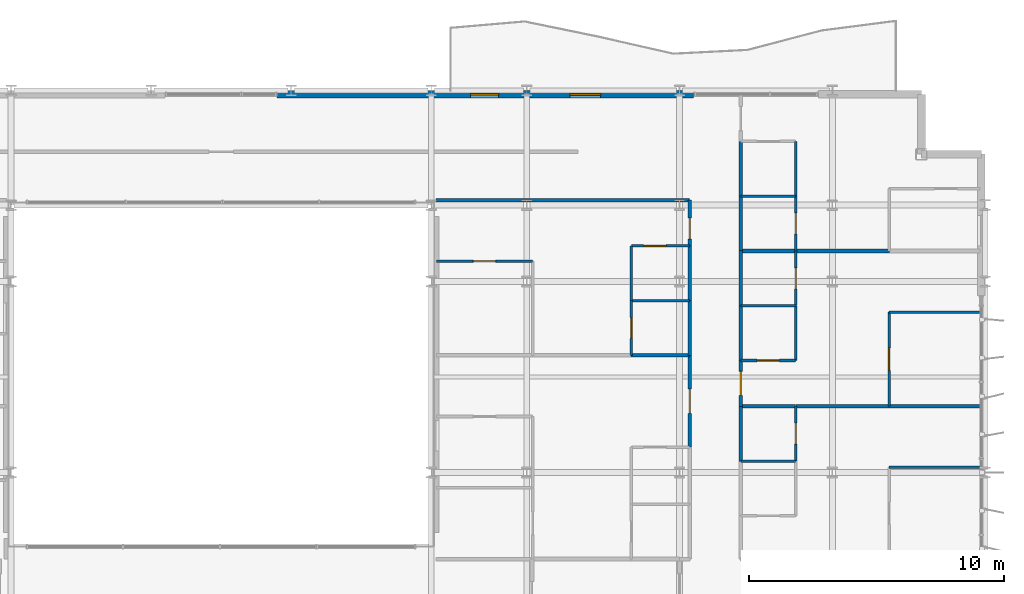
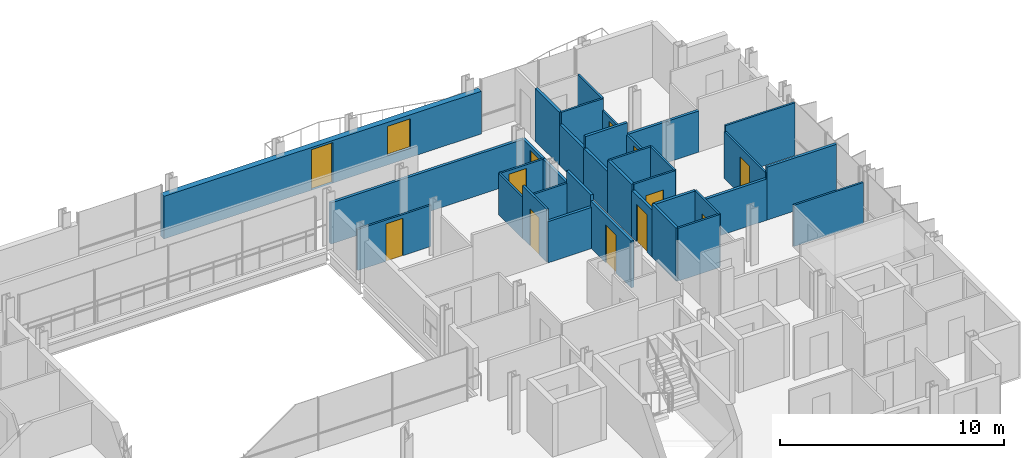
# One storey, part 32 of 38: 35 walls, 12 doors, 1 window, 13 openings.
"""IFC4 building model written with IfcOpenShell, lengths in metres."""

from ifc_helpers import new_model, si_unit, direction, frame, frame_2d, origin, place, context, subcontext, project, spatial, rectangle, extrude, material, layer, layer_set, type_object, element, fill, save


model = new_model("IFC4")

# Units and contexts
model_context = context("Model", 3, precision=1e-05, world=origin(), true_north=direction((0.0, 1.0)))
body_context = subcontext(model_context, "Body", "Model", "MODEL_VIEW")
ifc_project = project(units=[si_unit("LENGTHUNIT", "METRE"), si_unit("AREAUNIT", "SQUARE_METRE"), si_unit("VOLUMEUNIT", "CUBIC_METRE"), si_unit("PLANEANGLEUNIT", "RADIAN"), si_unit("MASSUNIT", "GRAM", prefix="KILO")], contexts=[model_context])

# Site, building, storey
site_placement = place(None, origin())
site = spatial("IfcSite", under=ifc_project, at=site_placement, CompositionType="ELEMENT")
building_placement = place(site_placement, origin())
building = spatial("IfcBuilding", under=site, at=building_placement, Name="Brevholm Reach", CompositionType="ELEMENT")
storey_placement = place(building_placement, frame((0.0, 0.0, 122.10009765625)))
storey = spatial("IfcBuildingStorey", under=building, at=storey_placement, Name="L36", CompositionType="ELEMENT", Elevation=122.10009765625)

# Wall, openings, door, window
ifc_material_1 = material(Name="Concrete C40/50", Category="concrete")
ifc_layer_1 = layer(ifc_material_1, 0.300048828125)
ifc_layer_set_1 = layer_set([ifc_layer_1], Name="Concrete C40/50")
wall_type_1 = type_object("IfcWallType", Name="WAL-EXT-300", PredefinedType="STANDARD", material=ifc_layer_set_1)
wall_1_placement = place(storey_placement, frame((32.199951171875, 30.85009765625, 0.0), z_axis=(0.0, 0.0, 1.0), x_axis=(1.0, 0.0, 0.0)))
wall_1 = element("IfcWall", 1, at=wall_1_placement, inside=storey, type_object=wall_type_1, Name="L36 Facade Wall WAL-L36-NP-ER", PredefinedType="STANDARD", context=body_context, shape_type="SweptSolid", body=[
    extrude(rectangle(XDim=16.35009765625, YDim=0.300048828125, at=frame_2d((8.175048828125, 0.0))), origin(), (0.0, 0.0, 1.0), 2.32177734375),
])
opening_1_placement = place(wall_1_placement, frame((7.60009765625, 0.0, 0.0)))
opening_1 = element("IfcOpeningElement", 2, at=opening_1_placement, cuts=wall_1, Name="Opening BD-01", PredefinedType="OPENING", context=body_context, shape_type="SweptSolid", body=[
    extrude(rectangle(XDim=1.10009765625, YDim=2.199951171875, at=frame_2d((0.550048828125, 1.10009765625))), frame((0.0, 0.159912109375, 0.0), z_axis=(0.0, -1.0, 0.0), x_axis=(1.0, 0.0, 0.0)), (0.0, 0.0, 1.0), 0.320068359375),
])
opening_2_placement = place(wall_1_placement, frame((11.5, 0.0, 0.501953125)))
opening_2 = element("IfcOpeningElement", 3, at=opening_2_placement, cuts=wall_1, Name="Opening WN-08", PredefinedType="OPENING", context=body_context, shape_type="SweptSolid", body=[
    extrude(rectangle(XDim=1.199951171875, YDim=1.60009765625, at=frame_2d((0.60009765625, 0.800048828125))), frame((0.0, 0.159912109375, 0.0), z_axis=(0.0, -1.0, 0.0), x_axis=(1.0, 0.0, 0.0)), (0.0, 0.0, 1.0), 0.320068359375),
])
ifc_material_2 = material(Name="Dark Anodised Aluminium and Triple-Glazed Glass", Category="aluminium")
door_type_1 = type_object("IfcDoorType", Name="DOR-BALC-1100", OperationType="NOTDEFINED", PredefinedType="DOOR", material=ifc_material_2)
door_1_placement = place(opening_1_placement, origin())
door_1 = element("IfcDoor", 4, at=door_1_placement, inside=storey, type_object=door_type_1, Name="L36 Exterior Door DOR-L36-BL-NE", OperationType="SINGLE_SWING_RIGHT", OverallHeight=2.199951171875, OverallWidth=1.10009765625, PredefinedType="DOOR", context=body_context, shape_type="SweptSolid", body=[
    extrude(rectangle(XDim=1.10009765625, YDim=2.199951171875, at=frame_2d((0.550048828125, 1.10009765625))), frame((0.0, 0.02490234375, 0.0), z_axis=(0.0, -1.0, 0.0), x_axis=(1.0, 0.0, 0.0)), (0.0, 0.0, 1.0), 0.050048828125),
])
fill(opening_1, door_1)
ifc_material_3 = material(Name="Dark Anodised Aluminium and Solar-Control IGU Glass", Category="aluminium")
window_type = type_object("IfcWindowType", Name="WIN-RES-1200", PartitioningType="SINGLE_PANEL", PredefinedType="WINDOW", material=ifc_material_3)
window_placement = place(opening_2_placement, origin())
window = element("IfcWindow", 5, at=window_placement, inside=storey, type_object=window_type, Name="L36 Window WIN-L36-NP-ER1", OverallHeight=1.60009765625, OverallWidth=1.199951171875, PartitioningType="SINGLE_PANEL", PredefinedType="WINDOW", context=body_context, shape_type="SweptSolid", body=[
    extrude(rectangle(XDim=1.199951171875, YDim=1.60009765625, at=frame_2d((0.60009765625, 0.800048828125))), frame((0.0, 0.030029296875, 0.0), z_axis=(0.0, -1.0, 0.0), x_axis=(1.0, 0.0, 0.0)), (0.0, 0.0, 1.0), 0.06005859375),
])
fill(opening_2, window)

# Wall
ifc_material_4 = material(Name="Moisture-Resistant Acoustic Gypsum Stud Partition 100 mm", Category="gypsum")
ifc_layer_2 = layer(ifc_material_4, 0.10009765625)
ifc_layer_set_2 = layer_set([ifc_layer_2], Name="Moisture-Resistant Acoustic Gypsum Stud Partition 100 mm")
wall_type_2 = type_object("IfcWallType", Name="WAL-PRT-100", PredefinedType="PARTITIONING", material=ifc_layer_set_2)
wall_2_placement = place(storey_placement, frame((46.112060546875, 22.75, 0.0), z_axis=(0.0, 0.0, 1.0), x_axis=(1.0, 0.0, 0.0)))
element("IfcWall", 6, at=wall_2_placement, inside=storey, type_object=wall_type_2, Name="L36 Internal Partition 131", PredefinedType="PARTITIONING", context=body_context, shape_type="SweptSolid", body=[
    extrude(rectangle(XDim=2.283935546875, YDim=0.10009765625, at=frame_2d((1.14208984375, 0.0))), origin(), (0.0, 0.0, 1.0), 2.24267578125),
])

# Wall, opening, door
wall_3_placement = place(storey_placement, frame((46.112060546875, 20.60400390625, 0.0), z_axis=(0.0, 0.0, 1.0), x_axis=(0.0, 1.0, 0.0)))
wall_3 = element("IfcWall", 7, at=wall_3_placement, inside=storey, type_object=wall_type_2, Name="L36 Internal Partition 132", PredefinedType="PARTITIONING", context=body_context, shape_type="SweptSolid", body=[
    extrude(rectangle(XDim=2.14599609375, YDim=0.10009765625, at=frame_2d((1.072998046875, 0.0))), origin(), (0.0, 0.0, 1.0), 2.8798828125),
])
opening_3_placement = place(wall_3_placement, frame((0.6630859375, 0.0, 0.0)))
opening_3 = element("IfcOpeningElement", 8, at=opening_3_placement, cuts=wall_3, Name="Opening ID-03", PredefinedType="OPENING", context=body_context, shape_type="SweptSolid", body=[
    extrude(rectangle(XDim=0.820068359375, YDim=2.02001953125, at=frame_2d((0.41015625, 1.010009765625))), frame((0.0, 0.06005859375, 0.0), z_axis=(0.0, -1.0, 0.0), x_axis=(1.0, 0.0, 0.0)), (0.0, 0.0, 1.0), 0.1201171875),
])
ifc_material_5 = material(Name="Moisture-Resistant Painted Timber Internal Bathroom Door", Category="wood")
door_type_2 = type_object("IfcDoorType", Name="DOR-BATH-820", OperationType="NOTDEFINED", PredefinedType="DOOR", material=ifc_material_5)
door_2_placement = place(opening_3_placement, origin())
door_2 = element("IfcDoor", 9, at=door_2_placement, inside=storey, type_object=door_type_2, Name="L36 Internal Door 050", OperationType="SINGLE_SWING_RIGHT", OverallHeight=2.02001953125, OverallWidth=0.820068359375, PredefinedType="DOOR", context=body_context, shape_type="SweptSolid", body=[
    extrude(rectangle(XDim=0.820068359375, YDim=2.02001953125, at=frame_2d((0.41015625, 1.010009765625))), frame((0.0, 0.02490234375, 0.0), z_axis=(0.0, -1.0, 0.0), x_axis=(1.0, 0.0, 0.0)), (0.0, 0.0, 1.0), 0.050048828125),
])
fill(opening_3, door_2)

wall_4_placement = place(storey_placement, frame((46.112060546875, 24.89990234375, 0.0), z_axis=(0.0, 0.0, 1.0), x_axis=(1.0, 0.0, 0.0)))
wall_4 = element("IfcWall", 10, at=wall_4_placement, inside=storey, type_object=wall_type_2, Name="L36 Internal Partition 133", PredefinedType="PARTITIONING", context=body_context, shape_type="SweptSolid", body=[
    extrude(rectangle(XDim=2.283935546875, YDim=0.10009765625, at=frame_2d((1.14208984375, 0.0))), origin(), (0.0, 0.0, 1.0), 2.24267578125),
])
opening_4_placement = place(wall_4_placement, frame((0.48193359375, 0.0, 0.0)))
opening_4 = element("IfcOpeningElement", 11, at=opening_4_placement, cuts=wall_4, Name="Opening ID-01", PredefinedType="OPENING", context=body_context, shape_type="SweptSolid", body=[
    extrude(rectangle(XDim=0.8798828125, YDim=2.0400390625, at=frame_2d((0.43994140625, 1.02001953125))), frame((0.0, 0.06005859375, 0.0), z_axis=(0.0, -1.0, 0.0), x_axis=(1.0, 0.0, 0.0)), (0.0, 0.0, 1.0), 0.1201171875),
])
ifc_material_6 = material(Name="Lacquered Ash Solid-Core Acoustic Internal Door", Category="timber")
door_type_3 = type_object("IfcDoorType", Name="DOR-INT-880", OperationType="NOTDEFINED", PredefinedType="DOOR", material=ifc_material_6)
door_3_placement = place(opening_4_placement, origin())
door_3 = element("IfcDoor", 12, at=door_3_placement, inside=storey, type_object=door_type_3, Name="L36 Internal Door 051", OperationType="SINGLE_SWING_LEFT", OverallHeight=2.0400390625, OverallWidth=0.8798828125, PredefinedType="DOOR", context=body_context, shape_type="SweptSolid", body=[
    extrude(rectangle(XDim=0.8798828125, YDim=2.0400390625, at=frame_2d((0.43994140625, 1.02001953125))), frame((0.0, 0.02490234375, 0.0), z_axis=(0.0, -1.0, 0.0), x_axis=(1.0, 0.0, 0.0)), (0.0, 0.0, 1.0), 0.050048828125),
])
fill(opening_4, door_3)

# Wall
wall_5_placement = place(storey_placement, frame((46.112060546875, 22.75390625, 0.0), z_axis=(0.0, 0.0, 1.0), x_axis=(0.0, 1.0, 0.0)))
element("IfcWall", 13, at=wall_5_placement, inside=storey, type_object=wall_type_2, Name="L36 Internal Partition 134", PredefinedType="PARTITIONING", context=body_context, shape_type="SweptSolid", body=[
    extrude(rectangle(XDim=2.14599609375, YDim=0.10009765625, at=frame_2d((1.072998046875, 0.0))), origin(), (0.0, 0.0, 1.0), 2.24267578125),
])

# Wall, opening, door
wall_6_placement = place(storey_placement, frame((38.449951171875, 24.300048828125, 0.0), z_axis=(0.0, 0.0, 1.0), x_axis=(1.0, 0.0, 0.0)))
wall_6 = element("IfcWall", 14, at=wall_6_placement, inside=storey, type_object=wall_type_2, Name="L36 Internal Partition 136", PredefinedType="PARTITIONING", context=body_context, shape_type="SweptSolid", body=[
    extrude(rectangle(XDim=3.781005859375, YDim=0.10009765625, at=frame_2d((1.890625, 0.0))), origin(), (0.0, 0.0, 1.0), 2.24267578125),
])
opening_5_placement = place(wall_6_placement, frame((1.450439453125, 0.0, 0.0)))
opening_5 = element("IfcOpeningElement", 15, at=opening_5_placement, cuts=wall_6, Name="Opening ID-01", PredefinedType="OPENING", context=body_context, shape_type="SweptSolid", body=[
    extrude(rectangle(XDim=0.8798828125, YDim=2.0400390625, at=frame_2d((0.43994140625, 1.02001953125))), frame((0.0, 0.06005859375, 0.0), z_axis=(0.0, -1.0, 0.0), x_axis=(1.0, 0.0, 0.0)), (0.0, 0.0, 1.0), 0.1201171875),
])
door_4_placement = place(opening_5_placement, origin())
door_4 = element("IfcDoor", 16, at=door_4_placement, inside=storey, type_object=door_type_3, Name="L36 Internal Door 052", OperationType="SINGLE_SWING_RIGHT", OverallHeight=2.0400390625, OverallWidth=0.8798828125, PredefinedType="DOOR", context=body_context, shape_type="SweptSolid", body=[
    extrude(rectangle(XDim=0.8798828125, YDim=2.0400390625, at=frame_2d((0.43994140625, 1.02001953125))), frame((0.0, 0.02490234375, 0.0), z_axis=(0.0, -1.0, 0.0), x_axis=(1.0, 0.0, 0.0)), (0.0, 0.0, 1.0), 0.050048828125),
])
fill(opening_5, door_4)

# Wall
wall_7_placement = place(storey_placement, frame((50.404052734375, 16.449951171875, 0.0), z_axis=(0.0, 0.0, 1.0), x_axis=(1.0, 0.0, 0.0)))
element("IfcWall", 17, at=wall_7_placement, inside=storey, type_object=wall_type_2, Name="L36 Internal Partition 137", PredefinedType="PARTITIONING", context=body_context, shape_type="SweptSolid", body=[
    extrude(rectangle(XDim=2.157958984375, YDim=0.10009765625, at=frame_2d((1.0791015625, 0.0))), origin(), (0.0, 0.0, 1.0), 2.8798828125),
])

# Wall, opening, door
wall_8_placement = place(storey_placement, frame((52.56201171875, 16.449951171875, 0.0), z_axis=(0.0, 0.0, 1.0), x_axis=(0.0, 1.0, 0.0)))
wall_8 = element("IfcWall", 18, at=wall_8_placement, inside=storey, type_object=wall_type_2, Name="L36 Internal Partition 138", PredefinedType="PARTITIONING", context=body_context, shape_type="SweptSolid", body=[
    extrude(rectangle(XDim=2.150146484375, YDim=0.10009765625, at=frame_2d((1.0751953125, 0.0))), origin(), (0.0, 0.0, 1.0), 2.8798828125),
])
opening_6_placement = place(wall_8_placement, frame((0.6650390625, 0.0, 0.0)))
opening_6 = element("IfcOpeningElement", 19, at=opening_6_placement, cuts=wall_8, Name="Opening ID-03", PredefinedType="OPENING", context=body_context, shape_type="SweptSolid", body=[
    extrude(rectangle(XDim=0.820068359375, YDim=2.02001953125, at=frame_2d((0.41015625, 1.010009765625))), frame((0.0, 0.06005859375, 0.0), z_axis=(0.0, -1.0, 0.0), x_axis=(1.0, 0.0, 0.0)), (0.0, 0.0, 1.0), 0.1201171875),
])
door_5_placement = place(opening_6_placement, origin())
door_5 = element("IfcDoor", 20, at=door_5_placement, inside=storey, type_object=door_type_2, Name="L36 Internal Door 053", OperationType="SINGLE_SWING_LEFT", OverallHeight=2.02001953125, OverallWidth=0.820068359375, PredefinedType="DOOR", context=body_context, shape_type="SweptSolid", body=[
    extrude(rectangle(XDim=0.820068359375, YDim=2.02001953125, at=frame_2d((0.41015625, 1.010009765625))), frame((0.0, 0.02490234375, 0.0), z_axis=(0.0, -1.0, 0.0), x_axis=(1.0, 0.0, 0.0)), (0.0, 0.0, 1.0), 0.050048828125),
])
fill(opening_6, door_5)

# Walls
wall_9_placement = place(storey_placement, frame((56.22802734375, 16.199951171875, 0.0), z_axis=(0.0, 0.0, 1.0), x_axis=(1.0, 0.0, 0.0)))
element("IfcWall", 21, at=wall_9_placement, inside=storey, type_object=wall_type_2, Name="L36 Internal Partition 142", PredefinedType="PARTITIONING", context=body_context, shape_type="SweptSolid", body=[
    extrude(rectangle(XDim=3.572021484375, YDim=0.10009765625, at=frame_2d((1.7861328125, 0.0))), origin(), (0.0, 0.0, 1.0), 2.24267578125),
])
wall_10_placement = place(storey_placement, frame((50.404052734375, 22.550048828125, 0.0), z_axis=(0.0, 0.0, 1.0), x_axis=(1.0, 0.0, 0.0)))
element("IfcWall", 22, at=wall_10_placement, inside=storey, type_object=wall_type_2, Name="L36 Internal Partition 146", PredefinedType="PARTITIONING", context=body_context, shape_type="SweptSolid", body=[
    extrude(rectangle(XDim=2.157958984375, YDim=0.10009765625, at=frame_2d((1.0791015625, 0.0))), origin(), (0.0, 0.0, 1.0), 2.8798828125),
])

# Wall, opening, door
wall_11_placement = place(storey_placement, frame((52.56201171875, 22.550048828125, 0.0), z_axis=(0.0, 0.0, 1.0), x_axis=(0.0, 1.0, 0.0)))
wall_11 = element("IfcWall", 23, at=wall_11_placement, inside=storey, type_object=wall_type_2, Name="L36 Internal Partition 147", PredefinedType="PARTITIONING", context=body_context, shape_type="SweptSolid", body=[
    extrude(rectangle(XDim=2.14990234375, YDim=0.10009765625, at=frame_2d((1.074951171875, 0.0))), origin(), (0.0, 0.0, 1.0), 2.24267578125),
])
opening_7_placement = place(wall_11_placement, frame((0.6650390625, 0.0, 0.0)))
opening_7 = element("IfcOpeningElement", 24, at=opening_7_placement, cuts=wall_11, Name="Opening ID-03", PredefinedType="OPENING", context=body_context, shape_type="SweptSolid", body=[
    extrude(rectangle(XDim=0.820068359375, YDim=2.02001953125, at=frame_2d((0.41015625, 1.010009765625))), frame((0.0, 0.06005859375, 0.0), z_axis=(0.0, -1.0, 0.0), x_axis=(1.0, 0.0, 0.0)), (0.0, 0.0, 1.0), 0.1201171875),
])
door_6_placement = place(opening_7_placement, origin())
door_6 = element("IfcDoor", 25, at=door_6_placement, inside=storey, type_object=door_type_2, Name="L36 Internal Door 056", OperationType="SINGLE_SWING_RIGHT", OverallHeight=2.02001953125, OverallWidth=0.820068359375, PredefinedType="DOOR", context=body_context, shape_type="SweptSolid", body=[
    extrude(rectangle(XDim=0.820068359375, YDim=2.02001953125, at=frame_2d((0.41015625, 1.010009765625))), frame((0.0, 0.02490234375, 0.0), z_axis=(0.0, -1.0, 0.0), x_axis=(1.0, 0.0, 0.0)), (0.0, 0.0, 1.0), 0.050048828125),
])
fill(opening_7, door_6)

wall_12_placement = place(storey_placement, frame((50.404052734375, 20.39990234375, 0.0), z_axis=(0.0, 0.0, 1.0), x_axis=(1.0, 0.0, 0.0)))
wall_12 = element("IfcWall", 26, at=wall_12_placement, inside=storey, type_object=wall_type_2, Name="L36 Internal Partition 149", PredefinedType="PARTITIONING", context=body_context, shape_type="SweptSolid", body=[
    extrude(rectangle(XDim=2.157958984375, YDim=0.10009765625, at=frame_2d((1.0791015625, 0.0))), origin(), (0.0, 0.0, 1.0), 2.8798828125),
])
opening_8_placement = place(wall_12_placement, frame((0.638916015625, 0.0, 0.0)))
opening_8 = element("IfcOpeningElement", 27, at=opening_8_placement, cuts=wall_12, Name="Opening ID-01", PredefinedType="OPENING", context=body_context, shape_type="SweptSolid", body=[
    extrude(rectangle(XDim=0.8798828125, YDim=2.0400390625, at=frame_2d((0.43994140625, 1.02001953125))), frame((0.0, 0.06005859375, 0.0), z_axis=(0.0, -1.0, 0.0), x_axis=(1.0, 0.0, 0.0)), (0.0, 0.0, 1.0), 0.1201171875),
])
door_7_placement = place(opening_8_placement, origin())
door_7 = element("IfcDoor", 28, at=door_7_placement, inside=storey, type_object=door_type_3, Name="L36 Internal Door 057", OperationType="SINGLE_SWING_LEFT", OverallHeight=2.0400390625, OverallWidth=0.8798828125, PredefinedType="DOOR", context=body_context, shape_type="SweptSolid", body=[
    extrude(rectangle(XDim=0.8798828125, YDim=2.0400390625, at=frame_2d((0.43994140625, 1.02001953125))), frame((0.0, 0.02490234375, 0.0), z_axis=(0.0, -1.0, 0.0), x_axis=(1.0, 0.0, 0.0)), (0.0, 0.0, 1.0), 0.050048828125),
])
fill(opening_8, door_7)

# Walls
wall_13_placement = place(storey_placement, frame((52.56201171875, 20.39990234375, 0.0), z_axis=(0.0, 0.0, 1.0), x_axis=(0.0, 1.0, 0.0)))
element("IfcWall", 29, at=wall_13_placement, inside=storey, type_object=wall_type_2, Name="L36 Internal Partition 150", PredefinedType="PARTITIONING", context=body_context, shape_type="SweptSolid", body=[
    extrude(rectangle(XDim=2.14599609375, YDim=0.10009765625, at=frame_2d((1.072998046875, 0.0))), origin(), (0.0, 0.0, 1.0), 2.8798828125),
])
wall_14_placement = place(storey_placement, frame((56.22802734375, 22.300048828125, 0.0), z_axis=(0.0, 0.0, 1.0), x_axis=(1.0, 0.0, 0.0)))
element("IfcWall", 30, at=wall_14_placement, inside=storey, type_object=wall_type_2, Name="L36 Internal Partition 151", PredefinedType="PARTITIONING", context=body_context, shape_type="SweptSolid", body=[
    extrude(rectangle(XDim=3.572021484375, YDim=0.10009765625, at=frame_2d((1.7861328125, 0.0))), origin(), (0.0, 0.0, 1.0), 2.8798828125),
])

# Wall, opening, door
wall_15_placement = place(storey_placement, frame((56.22802734375, 18.60400390625, 0.0), z_axis=(0.0, 0.0, 1.0), x_axis=(0.0, 1.0, 0.0)))
wall_15 = element("IfcWall", 31, at=wall_15_placement, inside=storey, type_object=wall_type_2, Name="L36 Internal Partition 152", PredefinedType="PARTITIONING", context=body_context, shape_type="SweptSolid", body=[
    extrude(rectangle(XDim=3.696044921875, YDim=0.10009765625, at=frame_2d((1.84814453125, 0.0))), origin(), (0.0, 0.0, 1.0), 2.551513671875),
])
opening_9_placement = place(wall_15_placement, frame((1.407958984375, 0.0, 0.0)))
opening_9 = element("IfcOpeningElement", 32, at=opening_9_placement, cuts=wall_15, Name="Opening ID-01", PredefinedType="OPENING", context=body_context, shape_type="SweptSolid", body=[
    extrude(rectangle(XDim=0.8798828125, YDim=2.0400390625, at=frame_2d((0.43994140625, 1.02001953125))), frame((0.0, 0.06005859375, 0.0), z_axis=(0.0, -1.0, 0.0), x_axis=(1.0, 0.0, 0.0)), (0.0, 0.0, 1.0), 0.1201171875),
])
door_8_placement = place(opening_9_placement, origin())
door_8 = element("IfcDoor", 33, at=door_8_placement, inside=storey, type_object=door_type_3, Name="L36 Internal Door 058", OperationType="SINGLE_SWING_RIGHT", OverallHeight=2.0400390625, OverallWidth=0.8798828125, PredefinedType="DOOR", context=body_context, shape_type="SweptSolid", body=[
    extrude(rectangle(XDim=0.8798828125, YDim=2.0400390625, at=frame_2d((0.43994140625, 1.02001953125))), frame((0.0, 0.02490234375, 0.0), z_axis=(0.0, -1.0, 0.0), x_axis=(1.0, 0.0, 0.0)), (0.0, 0.0, 1.0), 0.050048828125),
])
fill(opening_9, door_8)

# Wall
wall_16_placement = place(storey_placement, frame((50.404052734375, 26.85009765625, 0.0), z_axis=(0.0, 0.0, 1.0), x_axis=(1.0, 0.0, 0.0)))
element("IfcWall", 34, at=wall_16_placement, inside=storey, type_object=wall_type_2, Name="L36 Internal Partition 155", PredefinedType="PARTITIONING", context=body_context, shape_type="SweptSolid", body=[
    extrude(rectangle(XDim=2.157958984375, YDim=0.10009765625, at=frame_2d((1.0791015625, 0.0))), origin(), (0.0, 0.0, 1.0), 2.8798828125),
])

# Wall, opening, door
wall_17_placement = place(storey_placement, frame((52.56201171875, 24.7041015625, 0.0), z_axis=(0.0, 0.0, 1.0), x_axis=(0.0, 1.0, 0.0)))
wall_17 = element("IfcWall", 35, at=wall_17_placement, inside=storey, type_object=wall_type_2, Name="L36 Internal Partition 156", PredefinedType="PARTITIONING", context=body_context, shape_type="SweptSolid", body=[
    extrude(rectangle(XDim=2.14599609375, YDim=0.10009765625, at=frame_2d((1.072998046875, 0.0))), origin(), (0.0, 0.0, 1.0), 2.24267578125),
])
opening_10_placement = place(wall_17_placement, frame((0.6630859375, 0.0, 0.0)))
opening_10 = element("IfcOpeningElement", 36, at=opening_10_placement, cuts=wall_17, Name="Opening ID-03", PredefinedType="OPENING", context=body_context, shape_type="SweptSolid", body=[
    extrude(rectangle(XDim=0.820068359375, YDim=2.02001953125, at=frame_2d((0.41015625, 1.010009765625))), frame((0.0, 0.06005859375, 0.0), z_axis=(0.0, -1.0, 0.0), x_axis=(1.0, 0.0, 0.0)), (0.0, 0.0, 1.0), 0.1201171875),
])
door_9_placement = place(opening_10_placement, origin())
door_9 = element("IfcDoor", 37, at=door_9_placement, inside=storey, type_object=door_type_2, Name="L36 Internal Door 059", OperationType="SINGLE_SWING_LEFT", OverallHeight=2.02001953125, OverallWidth=0.820068359375, PredefinedType="DOOR", context=body_context, shape_type="SweptSolid", body=[
    extrude(rectangle(XDim=0.820068359375, YDim=2.02001953125, at=frame_2d((0.41015625, 1.010009765625))), frame((0.0, 0.02490234375, 0.0), z_axis=(0.0, -1.0, 0.0), x_axis=(1.0, 0.0, 0.0)), (0.0, 0.0, 1.0), 0.050048828125),
])
fill(opening_10, door_9)

# Wall
wall_18_placement = place(storey_placement, frame((52.56201171875, 26.85400390625, 0.0), z_axis=(0.0, 0.0, 1.0), x_axis=(0.0, 1.0, 0.0)))
element("IfcWall", 38, at=wall_18_placement, inside=storey, type_object=wall_type_2, Name="L36 Internal Partition 157", PredefinedType="PARTITIONING", context=body_context, shape_type="SweptSolid", body=[
    extrude(rectangle(XDim=2.14599609375, YDim=0.10009765625, at=frame_2d((1.072998046875, 0.0))), origin(), (0.0, 0.0, 1.0), 2.8798828125),
])

# Wall, opening, door
ifc_material_7 = material(Name="Twin-Stud Acoustic Fire-Rated Gypsum Partition 140 mm", Category="gypsum")
ifc_layer_3 = layer(ifc_material_7, 0.139892578125)
ifc_layer_set_3 = layer_set([ifc_layer_3], Name="Twin-Stud Acoustic Fire-Rated Gypsum Partition 140 mm")
wall_type_3 = type_object("IfcWallType", Name="WAL-PRT-140", PredefinedType="PARTITIONING", material=ifc_layer_set_3)
wall_19_placement = place(storey_placement, frame((48.39990234375, 16.99267578125, 0.0), z_axis=(0.0, 0.0, 1.0), x_axis=(0.0, 1.0, 0.0)))
wall_19 = element("IfcWall", 39, at=wall_19_placement, inside=storey, type_object=wall_type_3, Name="L36 Internal Partition 048", PredefinedType="PARTITIONING", context=body_context, shape_type="SweptSolid", body=[
    extrude(rectangle(XDim=3.61865234375, YDim=0.139892578125, at=frame_2d((1.809326171875, 0.0))), origin(), (0.0, 0.0, 1.0), 2.551513671875),
])
opening_11_placement = place(wall_19_placement, frame((1.334228515625, 0.0, 0.0)))
opening_11 = element("IfcOpeningElement", 40, at=opening_11_placement, cuts=wall_19, Name="Opening ID-30", PredefinedType="OPENING", context=body_context, shape_type="SweptSolid", body=[
    extrude(rectangle(XDim=0.949951171875, YDim=2.050048828125, at=frame_2d((0.47509765625, 1.02490234375))), frame((0.0, 0.079833984375, 0.0), z_axis=(0.0, -1.0, 0.0), x_axis=(1.0, 0.0, 0.0)), (0.0, 0.0, 1.0), 0.159912109375),
])
ifc_material_8 = material(Name="European Oak Veneered Solid-Core Fire Entrance Door", Category="timber")
door_type_4 = type_object("IfcDoorType", Name="DOR-FLT-FD30S", OperationType="NOTDEFINED", PredefinedType="DOOR", material=ifc_material_8)
door_10_placement = place(opening_11_placement, origin())
door_10 = element("IfcDoor", 41, at=door_10_placement, inside=storey, type_object=door_type_4, Name="L36 Internal Door 021", OperationType="SINGLE_SWING_LEFT", OverallHeight=2.050048828125, OverallWidth=0.949951171875, PredefinedType="DOOR", context=body_context, shape_type="SweptSolid", body=[
    extrude(rectangle(XDim=0.949951171875, YDim=2.050048828125, at=frame_2d((0.47509765625, 1.02490234375))), frame((0.0, 0.02490234375, 0.0), z_axis=(0.0, -1.0, 0.0), x_axis=(1.0, 0.0, 0.0)), (0.0, 0.0, 1.0), 0.050048828125),
])
fill(opening_11, door_10)

# Walls
wall_20_placement = place(storey_placement, frame((48.39990234375, 20.5927734375, 0.0), z_axis=(0.0, 0.0, 1.0), x_axis=(0.0, 1.0, 0.0)))
element("IfcWall", 42, at=wall_20_placement, inside=storey, type_object=wall_type_3, Name="L36 Internal Partition 049", PredefinedType="PARTITIONING", context=body_context, shape_type="SweptSolid", body=[
    extrude(rectangle(XDim=2.16845703125, YDim=0.139892578125, at=frame_2d((1.084228515625, 0.0))), origin(), (0.0, 0.0, 1.0), 2.8798828125),
])
wall_21_placement = place(storey_placement, frame((48.39990234375, 22.74267578125, 0.0), z_axis=(0.0, 0.0, 1.0), x_axis=(0.0, 1.0, 0.0)))
element("IfcWall", 43, at=wall_21_placement, inside=storey, type_object=wall_type_3, Name="L36 Internal Partition 050", PredefinedType="PARTITIONING", context=body_context, shape_type="SweptSolid", body=[
    extrude(rectangle(XDim=2.168701171875, YDim=0.139892578125, at=frame_2d((1.08447265625, 0.0))), origin(), (0.0, 0.0, 1.0), 2.24267578125),
])

# Wall, opening, door
wall_22_placement = place(storey_placement, frame((48.39990234375, 24.892578125, 0.0), z_axis=(0.0, 0.0, 1.0), x_axis=(0.0, 1.0, 0.0)))
wall_22 = element("IfcWall", 44, at=wall_22_placement, inside=storey, type_object=wall_type_3, Name="L36 Internal Partition 051", PredefinedType="PARTITIONING", context=body_context, shape_type="SweptSolid", body=[
    extrude(rectangle(XDim=1.814697265625, YDim=0.139892578125, at=frame_2d((0.9072265625, 0.0))), origin(), (0.0, 0.0, 1.0), 2.24267578125),
])
opening_12_placement = place(wall_22_placement, frame((0.27734375, 0.0, 0.0)))
opening_12 = element("IfcOpeningElement", 45, at=opening_12_placement, cuts=wall_22, Name="Opening ID-02", PredefinedType="OPENING", context=body_context, shape_type="SweptSolid", body=[
    extrude(rectangle(XDim=0.820068359375, YDim=2.02001953125, at=frame_2d((0.41015625, 1.010009765625))), frame((0.0, 0.079833984375, 0.0), z_axis=(0.0, -1.0, 0.0), x_axis=(1.0, 0.0, 0.0)), (0.0, 0.0, 1.0), 0.159912109375),
])
ifc_material_9 = material(Name="Moisture-Resistant Painted Timber Fire-Rated Riser and Service Door", Category="wood")
door_type_5 = type_object("IfcDoorType", Name="DOR-SRV-820", OperationType="NOTDEFINED", PredefinedType="DOOR", material=ifc_material_9)
door_11_placement = place(opening_12_placement, origin())
door_11 = element("IfcDoor", 46, at=door_11_placement, inside=storey, type_object=door_type_5, Name="L36 Internal Door 022", OperationType="SINGLE_SWING_RIGHT", OverallHeight=2.02001953125, OverallWidth=0.820068359375, PredefinedType="DOOR", context=body_context, shape_type="SweptSolid", body=[
    extrude(rectangle(XDim=0.820068359375, YDim=2.02001953125, at=frame_2d((0.41015625, 1.010009765625))), frame((0.0, 0.02490234375, 0.0), z_axis=(0.0, -1.0, 0.0), x_axis=(1.0, 0.0, 0.0)), (0.0, 0.0, 1.0), 0.050048828125),
])
fill(opening_12, door_11)

# Walls
wall_23_placement = place(storey_placement, frame((50.39990234375, 16.438720703125, 0.0), z_axis=(0.0, 0.0, 1.0), x_axis=(0.0, 1.0, 0.0)))
element("IfcWall", 47, at=wall_23_placement, inside=storey, type_object=wall_type_3, Name="L36 Internal Partition 052", PredefinedType="PARTITIONING", context=body_context, shape_type="SweptSolid", body=[
    extrude(rectangle(XDim=2.172607421875, YDim=0.139892578125, at=frame_2d((1.08642578125, 0.0))), origin(), (0.0, 0.0, 1.0), 2.8798828125),
])
wall_24_placement = place(storey_placement, frame((50.39990234375, 22.538818359375, 0.0), z_axis=(0.0, 0.0, 1.0), x_axis=(0.0, 1.0, 0.0)))
element("IfcWall", 48, at=wall_24_placement, inside=storey, type_object=wall_type_3, Name="L36 Internal Partition 055", PredefinedType="PARTITIONING", context=body_context, shape_type="SweptSolid", body=[
    extrude(rectangle(XDim=2.17236328125, YDim=0.139892578125, at=frame_2d((1.086181640625, 0.0))), origin(), (0.0, 0.0, 1.0), 2.24267578125),
])
wall_25_placement = place(storey_placement, frame((50.39990234375, 20.388671875, 0.0), z_axis=(0.0, 0.0, 1.0), x_axis=(0.0, 1.0, 0.0)))
element("IfcWall", 49, at=wall_25_placement, inside=storey, type_object=wall_type_3, Name="L36 Internal Partition 056", PredefinedType="PARTITIONING", context=body_context, shape_type="SweptSolid", body=[
    extrude(rectangle(XDim=2.168701171875, YDim=0.139892578125, at=frame_2d((1.08447265625, 0.0))), origin(), (0.0, 0.0, 1.0), 2.8798828125),
])

# Wall, opening, door
wall_26_placement = place(storey_placement, frame((50.39990234375, 18.5927734375, 0.0), z_axis=(0.0, 0.0, 1.0), x_axis=(0.0, 1.0, 0.0)))
wall_26 = element("IfcWall", 50, at=wall_26_placement, inside=storey, type_object=wall_type_3, Name="L36 Internal Partition 057", PredefinedType="PARTITIONING", context=body_context, shape_type="SweptSolid", body=[
    extrude(rectangle(XDim=1.814453125, YDim=0.139892578125, at=frame_2d((0.9072265625, 0.0))), origin(), (0.0, 0.0, 1.0), 2.551513671875),
])
opening_13_placement = place(wall_26_placement, frame((0.432373046875, 0.0, 0.0)))
opening_13 = element("IfcOpeningElement", 51, at=opening_13_placement, cuts=wall_26, Name="Opening ID-30", PredefinedType="OPENING", context=body_context, shape_type="SweptSolid", body=[
    extrude(rectangle(XDim=0.949951171875, YDim=2.050048828125, at=frame_2d((0.47509765625, 1.02490234375))), frame((0.0, 0.079833984375, 0.0), z_axis=(0.0, -1.0, 0.0), x_axis=(1.0, 0.0, 0.0)), (0.0, 0.0, 1.0), 0.159912109375),
])
door_12_placement = place(opening_13_placement, origin())
door_12 = element("IfcDoor", 52, at=door_12_placement, inside=storey, type_object=door_type_4, Name="L36 Internal Door 023", OperationType="SINGLE_SWING_LEFT", OverallHeight=2.050048828125, OverallWidth=0.949951171875, PredefinedType="DOOR", context=body_context, shape_type="SweptSolid", body=[
    extrude(rectangle(XDim=0.949951171875, YDim=2.050048828125, at=frame_2d((0.47509765625, 1.02490234375))), frame((0.0, 0.02490234375, 0.0), z_axis=(0.0, -1.0, 0.0), x_axis=(1.0, 0.0, 0.0)), (0.0, 0.0, 1.0), 0.050048828125),
])
fill(opening_13, door_12)

# Walls
wall_27_placement = place(storey_placement, frame((50.39990234375, 24.692626953125, 0.0), z_axis=(0.0, 0.0, 1.0), x_axis=(0.0, 1.0, 0.0)))
element("IfcWall", 53, at=wall_27_placement, inside=storey, type_object=wall_type_3, Name="L36 Internal Partition 058", PredefinedType="PARTITIONING", context=body_context, shape_type="SweptSolid", body=[
    extrude(rectangle(XDim=2.168701171875, YDim=0.139892578125, at=frame_2d((1.08447265625, 0.0))), origin(), (0.0, 0.0, 1.0), 2.24267578125),
])
wall_28_placement = place(storey_placement, frame((50.39990234375, 26.8427734375, 0.0), z_axis=(0.0, 0.0, 1.0), x_axis=(0.0, 1.0, 0.0)))
element("IfcWall", 54, at=wall_28_placement, inside=storey, type_object=wall_type_3, Name="L36 Internal Partition 059", PredefinedType="PARTITIONING", context=body_context, shape_type="SweptSolid", body=[
    extrude(rectangle(XDim=2.16845703125, YDim=0.139892578125, at=frame_2d((1.084228515625, 0.0))), origin(), (0.0, 0.0, 1.0), 2.8798828125),
])
wall_29_placement = place(storey_placement, frame((38.438720703125, 26.699951171875, 0.0), z_axis=(0.0, 0.0, 1.0), x_axis=(1.0, 0.0, 0.0)))
element("IfcWall", 55, at=wall_29_placement, inside=storey, type_object=wall_type_3, Name="L36 Internal Partition 063", PredefinedType="PARTITIONING", context=body_context, shape_type="SweptSolid", body=[
    extrude(rectangle(XDim=9.957275390625, YDim=0.139892578125, at=frame_2d((4.978515625, 0.0))), origin(), (0.0, 0.0, 1.0), 2.24267578125),
])
wall_30_placement = place(storey_placement, frame((46.1005859375, 20.60009765625, 0.0), z_axis=(0.0, 0.0, 1.0), x_axis=(1.0, 0.0, 0.0)))
element("IfcWall", 56, at=wall_30_placement, inside=storey, type_object=wall_type_3, Name="L36 Internal Partition 128", PredefinedType="PARTITIONING", context=body_context, shape_type="SweptSolid", body=[
    extrude(rectangle(XDim=2.29541015625, YDim=0.139892578125, at=frame_2d((1.147705078125, 0.0))), origin(), (0.0, 0.0, 1.0), 2.24267578125),
])
wall_31_placement = place(storey_placement, frame((50.404052734375, 18.60009765625, 0.0), z_axis=(0.0, 0.0, 1.0), x_axis=(1.0, 0.0, 0.0)))
element("IfcWall", 57, at=wall_31_placement, inside=storey, type_object=wall_type_3, Name="L36 Internal Partition 139", PredefinedType="PARTITIONING", context=body_context, shape_type="SweptSolid", body=[
    extrude(rectangle(XDim=2.157958984375, YDim=0.139892578125, at=frame_2d((1.0791015625, 0.0))), origin(), (0.0, 0.0, 1.0), 2.8798828125),
])
wall_32_placement = place(storey_placement, frame((56.216796875, 18.60009765625, 0.0), z_axis=(0.0, 0.0, 1.0), x_axis=(1.0, 0.0, 0.0)))
element("IfcWall", 58, at=wall_32_placement, inside=storey, type_object=wall_type_3, Name="L36 Internal Partition 144", PredefinedType="PARTITIONING", context=body_context, shape_type="SweptSolid", body=[
    extrude(rectangle(XDim=3.583251953125, YDim=0.139892578125, at=frame_2d((1.79150390625, 0.0))), origin(), (0.0, 0.0, 1.0), 2.8798828125),
])
wall_33_placement = place(storey_placement, frame((52.56591796875, 18.60009765625, 0.0), z_axis=(0.0, 0.0, 1.0), x_axis=(1.0, 0.0, 0.0)))
element("IfcWall", 59, at=wall_33_placement, inside=storey, type_object=wall_type_3, Name="L36 Internal Partition 145", PredefinedType="PARTITIONING", context=body_context, shape_type="SweptSolid", body=[
    extrude(rectangle(XDim=3.66943359375, YDim=0.139892578125, at=frame_2d((1.834716796875, 0.0))), origin(), (0.0, 0.0, 1.0), 2.24267578125),
])
wall_34_placement = place(storey_placement, frame((50.404052734375, 24.699951171875, 0.0), z_axis=(0.0, 0.0, 1.0), x_axis=(1.0, 0.0, 0.0)))
element("IfcWall", 60, at=wall_34_placement, inside=storey, type_object=wall_type_3, Name="L36 Internal Partition 148", PredefinedType="PARTITIONING", context=body_context, shape_type="SweptSolid", body=[
    extrude(rectangle(XDim=2.157958984375, YDim=0.139892578125, at=frame_2d((1.0791015625, 0.0))), origin(), (0.0, 0.0, 1.0), 2.8798828125),
])
wall_35_placement = place(storey_placement, frame((52.56591796875, 24.699951171875, 0.0), z_axis=(0.0, 0.0, 1.0), x_axis=(1.0, 0.0, 0.0)))
element("IfcWall", 61, at=wall_35_placement, inside=storey, type_object=wall_type_3, Name="L36 Internal Partition 154", PredefinedType="PARTITIONING", context=body_context, shape_type="SweptSolid", body=[
    extrude(rectangle(XDim=3.66943359375, YDim=0.139892578125, at=frame_2d((1.834716796875, 0.0))), origin(), (0.0, 0.0, 1.0), 2.24267578125),
])

save(model, "model.ifc")
